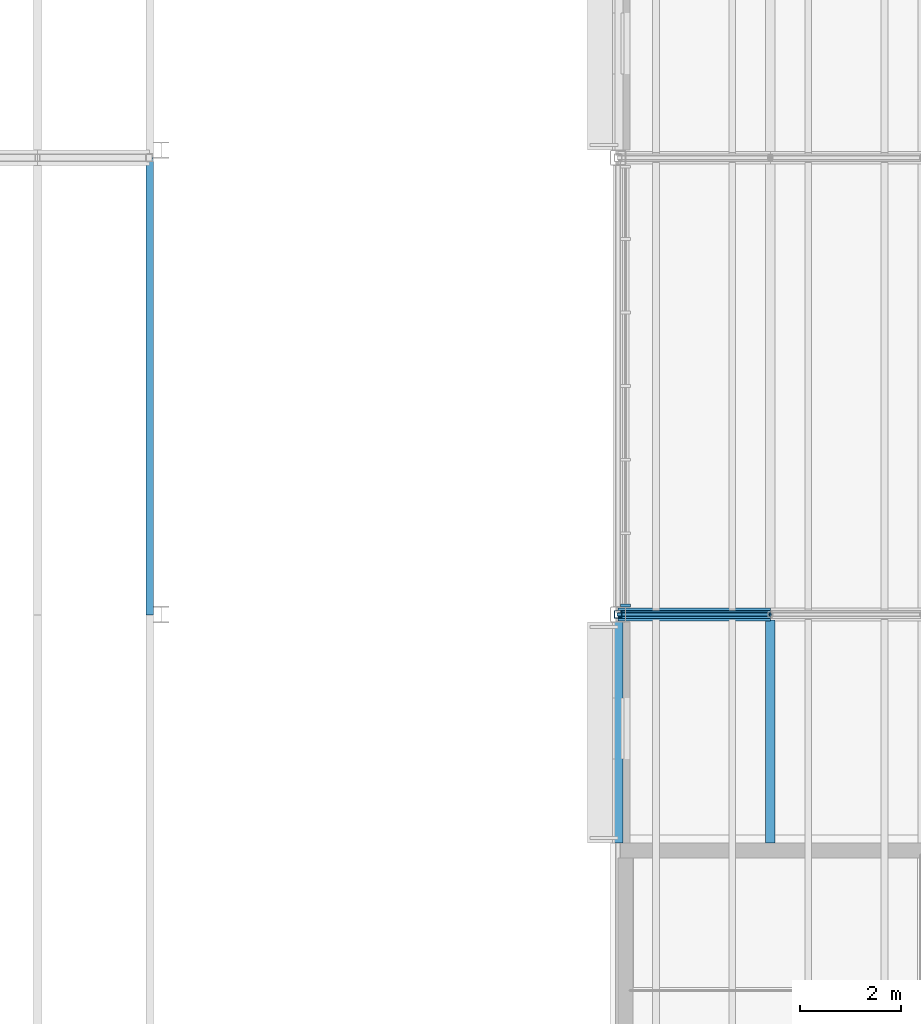
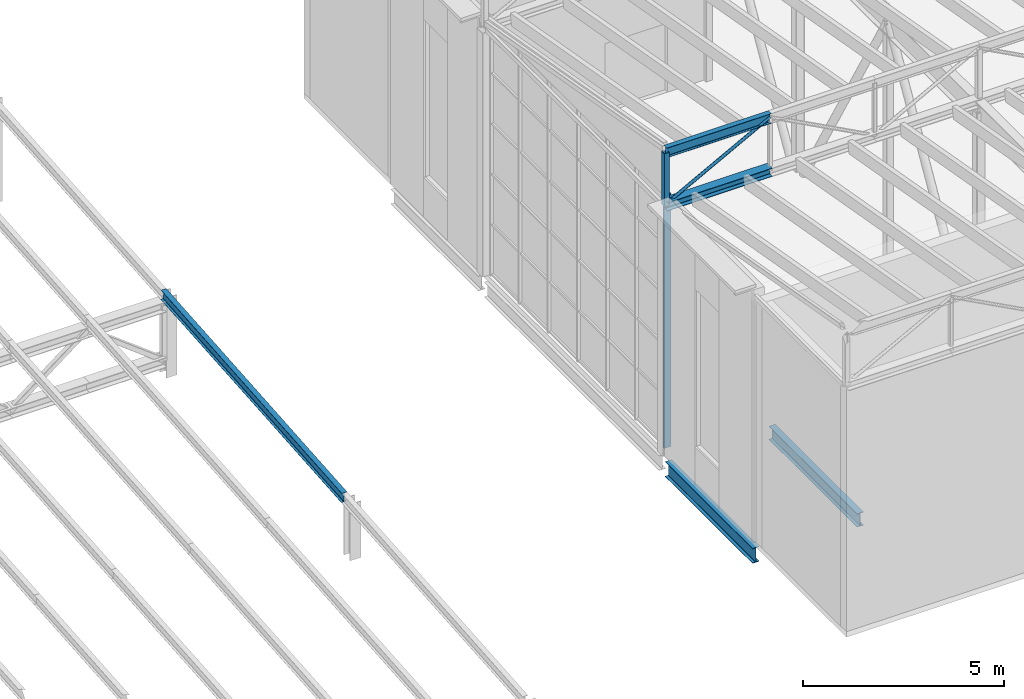
# One storey, part 9 of 90: 6 members, 2 beams, 1 element without a shape of its own.
"""IFC4 building model written with IfcOpenShell, lengths in metres."""

from ifc_helpers import new_model, si_unit, direction, frame, origin, origin_2d, place, context, subcontext, project, spatial, rectangle, hollow_rectangle, hollow_circle, i_section, extrude, material, layer, layer_set, material_profile, profile_set, type_object, element, aggregate, save


model = new_model("IFC4")

# Units and contexts
model_context = context("Model", 3, precision=1e-05, world=origin(), true_north=direction((0.0, 1.0)))
body_context = subcontext(model_context, "Body", "Model", "MODEL_VIEW")
ifc_project = project(units=[si_unit("LENGTHUNIT", "METRE"), si_unit("AREAUNIT", "SQUARE_METRE"), si_unit("VOLUMEUNIT", "CUBIC_METRE"), si_unit("PLANEANGLEUNIT", "RADIAN"), si_unit("MASSUNIT", "GRAM", prefix="KILO")], contexts=[model_context])

# Site, building, storey
site_placement = place(None, origin())
site = spatial("IfcSite", under=ifc_project, at=site_placement, CompositionType="ELEMENT")
building_placement = place(site_placement, origin())
building = spatial("IfcBuilding", under=site, at=building_placement, Name="Halyard Row Museum", CompositionType="ELEMENT")
storey_placement = place(building_placement, frame((0.0, 0.0, 13.39990234375)))
storey = spatial("IfcBuildingStorey", under=building, at=storey_placement, Name="L03", CompositionType="ELEMENT", Elevation=13.39990234375)

# Curtain wall, member
ifc_material_1 = material(Name="Double glazed unit, low-emissivity", Category="glass")
ifc_layer = layer(ifc_material_1, 0.199951171875)
ifc_layer_set = layer_set([ifc_layer], Name="Double glazed unit, low-emissivity")
curtain_wall_type = type_object("IfcCurtainWallType", Name="Curtain wall gable 200 deep", PredefinedType="NOTDEFINED", material=ifc_layer_set)
curtain_wall_placement = place(storey_placement, origin())
curtain_wall = element("IfcCurtainWall", 1, at=curtain_wall_placement, inside=storey, type_object=curtain_wall_type, Name="Curtain wall CW054", PredefinedType="NOTDEFINED")
ifc_material_2 = material(Name="Powder-coated aluminium section", Category="aluminium")
ifc_material_profile_1 = material_profile(ifc_material_2, rectangle(XDim=0.199951171875, YDim=0.054931640625, at=origin_2d()), Name="200x55 mullion")
ifc_profile_set_1 = profile_set([ifc_material_profile_1], Name="Powder-coated aluminium section")
member_type_1 = type_object("IfcMemberType", Name="Curtain wall mullion CM7 55 x 200", PredefinedType="MULLION", material=ifc_profile_set_1)
member_1_placement = place(storey_placement, frame((27.14990234375, 27.177490234375, 0.0), z_axis=(0.0, 0.0, 1.0), x_axis=(1.0, 0.0, 0.0)))
member_1 = element("IfcMember", 2, at=member_1_placement, type_object=member_type_1, Name="CW054 mullion 7", PredefinedType="MULLION", context=body_context, shape_type="SweptSolid", body=[
    extrude(rectangle(XDim=0.199951171875, YDim=0.054931640625, at=origin_2d()), origin(), (0.0, 0.0, 1.0), 7.67822265625),
])
aggregate(curtain_wall, [member_1])

# Beam
ifc_material_3 = material(Name="Steel Grade 300", Category="steel")
ifc_material_profile_2 = material_profile(ifc_material_3, i_section(OverallWidth=0.18994140625, OverallDepth=0.45751953125, WebThickness=0.009033203125, FlangeThickness=0.014404296875, FilletRadius=0.011474609375, at=origin_2d()), Name="460UB74.6")
ifc_profile_set_2 = profile_set([ifc_material_profile_2], Name="Steel Grade 300")
beam_type_1 = type_object("IfcBeamType", Name="Edge beam 460UB74.6", PredefinedType="BEAM", material=ifc_profile_set_2)
beam_1_placement = place(storey_placement, frame((27.0, 22.5, -0.3935546875), z_axis=(0.0, 1.0, 0.0), x_axis=(-1.0, 0.0, 0.0)))
element("IfcBeam", 3, at=beam_1_placement, inside=storey, type_object=beam_type_1, Name="Beam L03-043", PredefinedType="BEAM", context=body_context, shape_type="SweptSolid", body=[
    extrude(i_section(OverallWidth=0.18994140625, OverallDepth=0.45751953125, WebThickness=0.009033203125, FlangeThickness=0.014404296875, FilletRadius=0.011474609375, at=origin_2d()), origin(), (0.0, 0.0, 1.0), 4.35009765625),
])

# Member
ifc_material_4 = material(Name="Steel Grade 300", Category="steel")
ifc_material_profile_3 = material_profile(ifc_material_4, i_section(OverallWidth=0.14892578125, OverallDepth=0.298095703125, WebThickness=0.005615234375, FlangeThickness=0.008056640625, FilletRadius=0.012939453125, at=origin_2d()), Name="310UB32.0")
ifc_profile_set_3 = profile_set([ifc_material_profile_3], Name="Steel Grade 300")
member_type_2 = type_object("IfcMemberType", Name="Hall roof purlin 310UB32.0", PredefinedType="PURLIN", material=ifc_profile_set_3)
member_2_placement = place(storey_placement, frame((17.76953125, 27.0, 1.860107421875), z_axis=(0.0, 0.996815536467, 0.079741998075), x_axis=(-1.0, 0.0, 0.0)))
element("IfcMember", 4, at=member_2_placement, inside=storey, type_object=member_type_2, Name="Hall roof purlin H2 9", PredefinedType="PURLIN", context=body_context, shape_type="SweptSolid", body=[
    extrude(i_section(OverallWidth=0.14892578125, OverallDepth=0.298095703125, WebThickness=0.005615234375, FlangeThickness=0.008056640625, FilletRadius=0.012939453125, at=origin_2d()), origin(), (0.0, 0.0, 1.0), 9.02880859375),
])

# Beam
ifc_material_5 = material(Name="Steel Grade 300", Category="steel")
ifc_material_profile_4 = material_profile(ifc_material_5, i_section(OverallWidth=0.177978515625, OverallDepth=0.406494140625, WebThickness=0.0078125, FlangeThickness=0.0126953125, FilletRadius=0.011474609375, at=origin_2d()), Name="410UB59.7")
ifc_profile_set_4 = profile_set([ifc_material_profile_4], Name="Steel Grade 300")
beam_type_2 = type_object("IfcBeamType", Name="Secondary beam 410UB59.7", PredefinedType="BEAM", material=ifc_profile_set_4)
beam_2_placement = place(storey_placement, frame((30.0, 22.5, -0.3681640625), z_axis=(0.0, 1.0, 0.0), x_axis=(-1.0, 0.0, 0.0)))
element("IfcBeam", 5, at=beam_2_placement, inside=storey, type_object=beam_type_2, Name="Beam L03-095", PredefinedType="BEAM", context=body_context, shape_type="SweptSolid", body=[
    extrude(i_section(OverallWidth=0.177978515625, OverallDepth=0.406494140625, WebThickness=0.0078125, FlangeThickness=0.0126953125, FilletRadius=0.011474609375, at=origin_2d()), origin(), (0.0, 0.0, 1.0), 4.3955078125),
])

# Members
ifc_material_6 = material(Name="Steel Grade 300", Category="steel")
ifc_material_profile_5 = material_profile(ifc_material_6, i_section(OverallWidth=0.25390625, OverallDepth=0.25390625, WebThickness=0.008544921875, FlangeThickness=0.01416015625, FilletRadius=0.013916015625, at=origin_2d()), Name="250UC72.9")
ifc_profile_set_5 = profile_set([ifc_material_profile_5], Name="Steel Grade 300")
member_type_3 = type_object("IfcMemberType", Name="Valley truss bottom chord 250UC72.9", PredefinedType="CHORD", material=ifc_profile_set_5)
member_3_placement = place(storey_placement, frame((27.0, 27.0, 7.527099609375), z_axis=(1.0, 0.0, 0.0), x_axis=(0.0, 1.0, 0.0)))
element("IfcMember", 6, at=member_3_placement, inside=storey, type_object=member_type_3, Name="V1-VT2 bottom chord 1.1", PredefinedType="CHORD", context=body_context, shape_type="SweptSolid", body=[
    extrude(i_section(OverallWidth=0.25390625, OverallDepth=0.25390625, WebThickness=0.008544921875, FlangeThickness=0.01416015625, FilletRadius=0.013916015625, at=origin_2d()), origin(), (0.0, 0.0, 1.0), 3.0),
])
ifc_material_7 = material(Name="Steel Grade C250L0", Category="steel")
ifc_material_profile_6 = material_profile(ifc_material_7, hollow_circle(Radius=0.04443359375, WallThickness=0.0048828125, at=origin_2d()), Name="88.9x5.0CHS")
ifc_profile_set_6 = profile_set([ifc_material_profile_6], Name="Steel Grade C250L0")
member_type_4 = type_object("IfcMemberType", Name="Valley truss diagonal 88.9x5.0CHS", PredefinedType="BRACE", material=ifc_profile_set_6)
member_4_placement = place(storey_placement, frame((27.0, 27.0, 7.527099609375), z_axis=(0.881863759518, 0.0, 0.471504305016), x_axis=(0.0, 1.0, 0.0)))
element("IfcMember", 7, at=member_4_placement, inside=storey, type_object=member_type_4, Name="V1-VT2 diagonal 1.1", PredefinedType="BRACE", context=body_context, shape_type="SweptSolid", body=[
    extrude(hollow_circle(Radius=0.04443359375, WallThickness=0.0048828125, at=origin_2d()), origin(), (0.0, 0.0, 1.0), 3.40185546875),
])
ifc_material_8 = material(Name="Steel Grade C350L0", Category="steel")
ifc_material_profile_7 = material_profile(ifc_material_8, hollow_rectangle(XDim=0.14990234375, YDim=0.14990234375, WallThickness=0.006103515625, InnerFilletRadius=0.009033203125, OuterFilletRadius=0.014892578125, at=origin_2d()), Name="150x150x6.0SHS")
ifc_profile_set_7 = profile_set([ifc_material_profile_7], Name="Steel Grade C350L0")
member_type_5 = type_object("IfcMemberType", Name="Valley truss post 150x150x6.0SHS", PredefinedType="POST", material=ifc_profile_set_7)
member_5_placement = place(storey_placement, frame((27.0, 27.0, 7.527099609375), z_axis=(0.0, 0.0, 1.0), x_axis=(1.0, 0.0, 0.0)))
element("IfcMember", 8, at=member_5_placement, inside=storey, type_object=member_type_5, Name="V1-VT2 post 1.0", PredefinedType="POST", context=body_context, shape_type="SweptSolid", body=[
    extrude(hollow_rectangle(XDim=0.14990234375, YDim=0.14990234375, WallThickness=0.006103515625, InnerFilletRadius=0.009033203125, OuterFilletRadius=0.014892578125, at=origin_2d()), origin(), (0.0, 0.0, 1.0), 1.60400390625),
])
ifc_material_9 = material(Name="Steel Grade 300", Category="steel")
ifc_material_profile_8 = material_profile(ifc_material_9, i_section(OverallWidth=0.14892578125, OverallDepth=0.298095703125, WebThickness=0.005615234375, FlangeThickness=0.008056640625, FilletRadius=0.012939453125, at=origin_2d()), Name="310UB32.0")
ifc_profile_set_8 = profile_set([ifc_material_profile_8], Name="Steel Grade 300")
member_type_6 = type_object("IfcMemberType", Name="Valley truss top chord 310UB32.0", PredefinedType="CHORD", material=ifc_profile_set_8)
member_6_placement = place(storey_placement, frame((27.0, 27.0, 9.131103515625), z_axis=(1.0, 0.0, 0.0), x_axis=(0.0, 1.0, 0.0)))
element("IfcMember", 9, at=member_6_placement, inside=storey, type_object=member_type_6, Name="V1-VT2 top chord 1.1", PredefinedType="CHORD", context=body_context, shape_type="SweptSolid", body=[
    extrude(i_section(OverallWidth=0.14892578125, OverallDepth=0.298095703125, WebThickness=0.005615234375, FlangeThickness=0.008056640625, FilletRadius=0.012939453125, at=origin_2d()), origin(), (0.0, 0.0, 1.0), 3.0),
])

save(model, "model.ifc")
